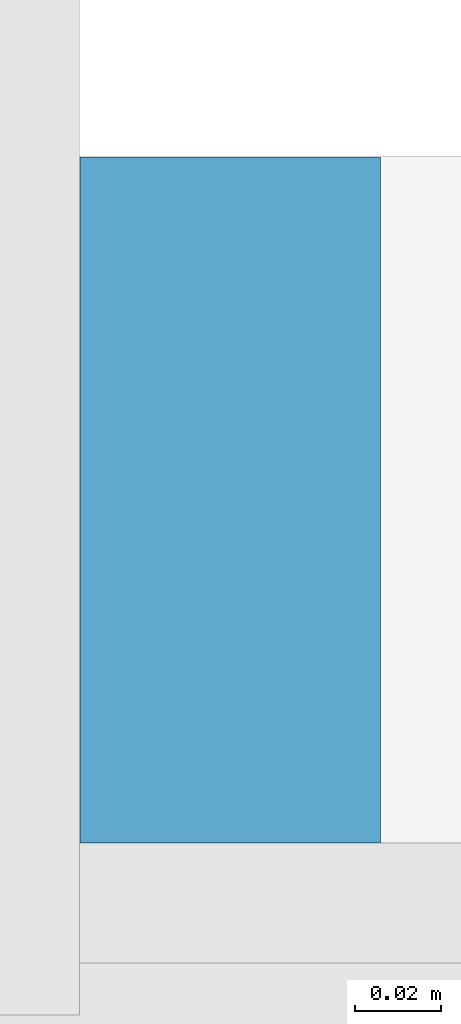
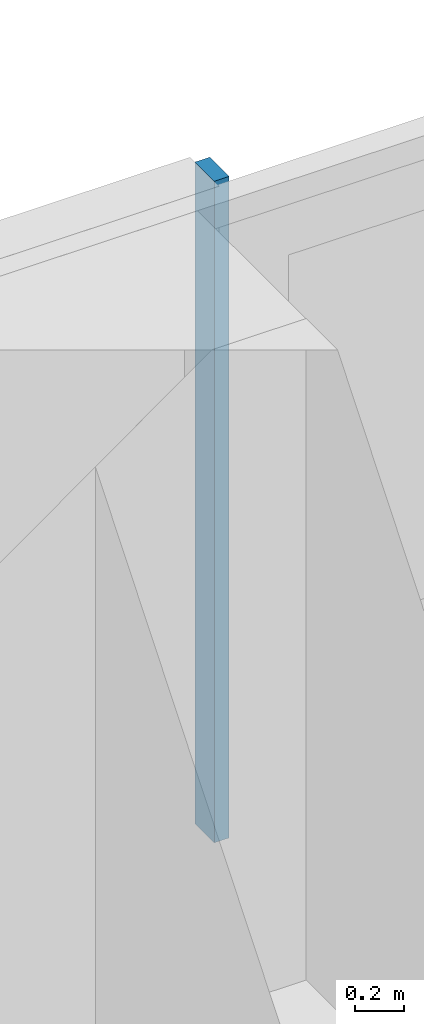
# One storey, part 10 of 29: 1 member, 1 element without a shape of its own.
"""IFC4 building model written with IfcOpenShell, lengths in metres."""

from ifc_helpers import new_model, si_unit, direction, frame, origin, origin_2d, place, context, subcontext, project, spatial, rectangle, extrude, material, material_profile, profile_set, type_object, element, aggregate, save


model = new_model("IFC4")

# Units and contexts
model_context = context("Model", 3, precision=1e-05, world=origin(), true_north=direction((0.0, 1.0)))
body_context = subcontext(model_context, "Body", "Model", "MODEL_VIEW")
ifc_project = project(units=[si_unit("LENGTHUNIT", "METRE"), si_unit("AREAUNIT", "SQUARE_METRE"), si_unit("VOLUMEUNIT", "CUBIC_METRE"), si_unit("PLANEANGLEUNIT", "RADIAN"), si_unit("MASSUNIT", "GRAM", prefix="KILO")], contexts=[model_context])

# Site, building, storey
site_placement = place(None, origin())
site = spatial("IfcSite", under=ifc_project, at=site_placement, CompositionType="ELEMENT")
building_placement = place(site_placement, origin())
building = spatial("IfcBuilding", under=site, at=building_placement, Name="Saffron Gate Tower", CompositionType="ELEMENT")
storey_placement = place(building_placement, frame((0.0, 0.0, 106.050048828125)))
storey = spatial("IfcBuildingStorey", under=building, at=storey_placement, Name="L24", CompositionType="ELEMENT", Elevation=106.050048828125)

# Curtain wall, member
ifc_material = material(Name="Aluminium, bronze anodised", Category="aluminium")
curtain_wall_type = type_object("IfcCurtainWallType", Name="CWS3 curtain wall rear facade", PredefinedType="NOTDEFINED", material=ifc_material)
curtain_wall_placement = place(storey_placement, origin())
curtain_wall = element("IfcCurtainWall", 1, at=curtain_wall_placement, inside=storey, type_object=curtain_wall_type, Name="CWS3 run 7", PredefinedType="NOTDEFINED")
ifc_material_profile = material_profile(ifc_material, rectangle(XDim=0.159912109375, YDim=0.070068359375, at=origin_2d()))
ifc_profile_set = profile_set([ifc_material_profile], Name="Aluminium, bronze anodised")
member_type = type_object("IfcMemberType", Name="CWS3 mullion 70x160", PredefinedType="MULLION", material=ifc_profile_set)
member_placement = place(storey_placement, frame((108.60009765625, 75.52001953125, 0.0), z_axis=(0.0, 0.0, 1.0), x_axis=(0.0, -1.0, 0.0)))
member = element("IfcMember", 2, at=member_placement, type_object=member_type, Name="CWS3 mullion 3", PredefinedType="MULLION", context=body_context, shape_type="SweptSolid", body=[
    extrude(rectangle(XDim=0.159912109375, YDim=0.070068359375, at=origin_2d()), origin(), (0.0, 0.0, 1.0), 3.320068359375),
])
aggregate(curtain_wall, [member])

save(model, "model.ifc")
